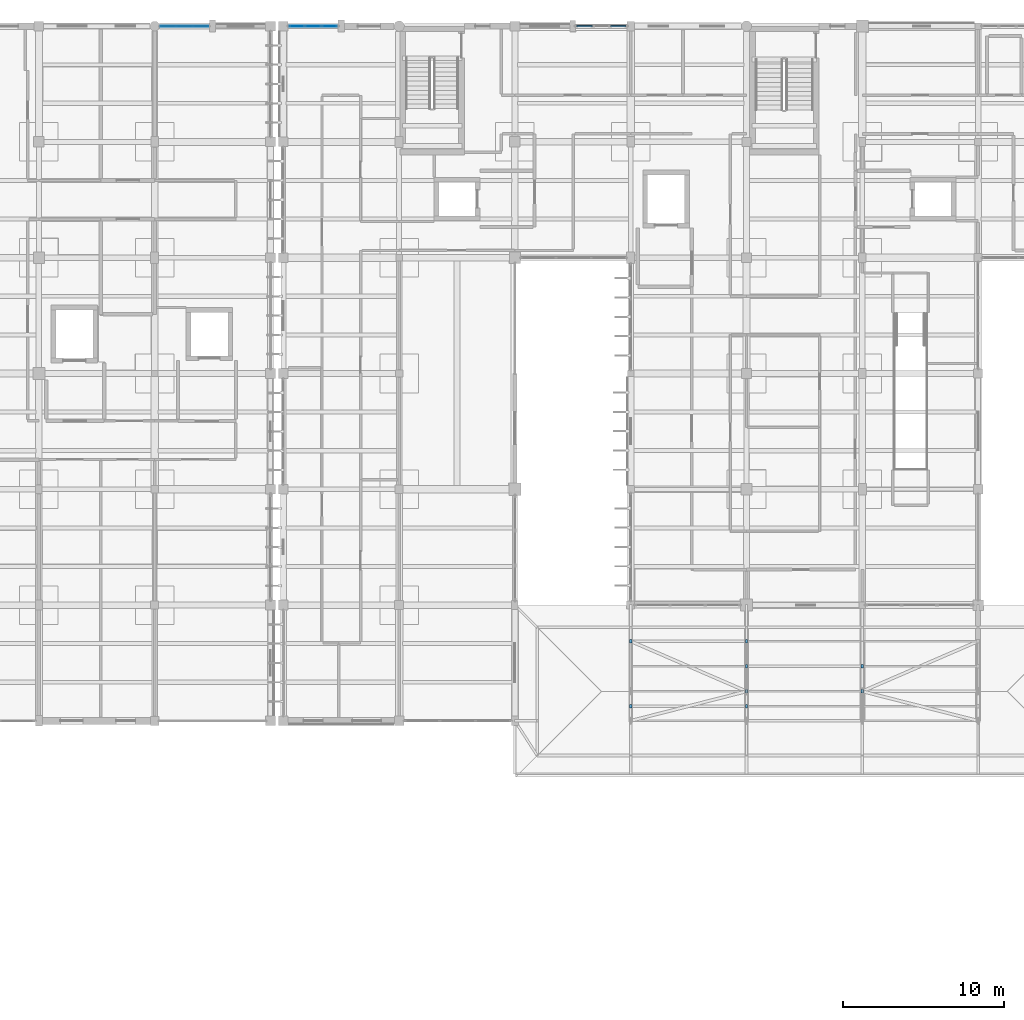
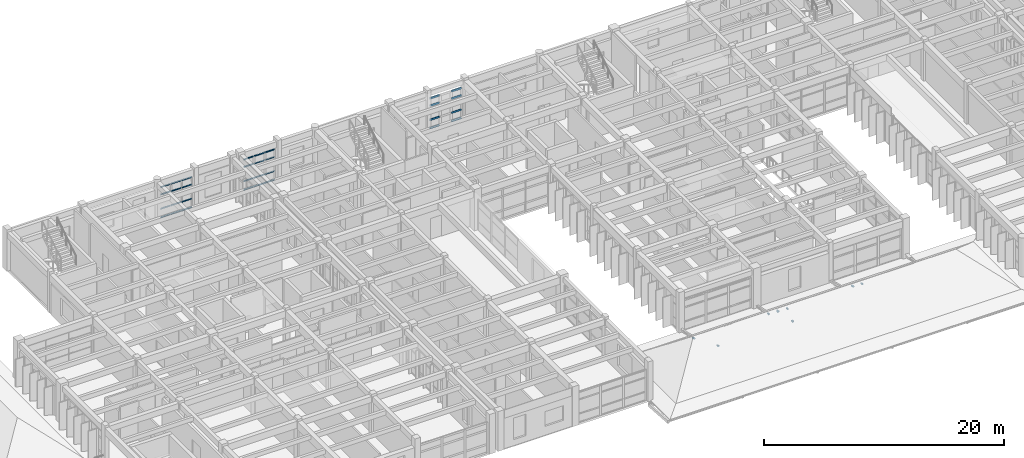
# One storey, part 45 of 100: 40 members, 3 elements without a shape of their own.
"""IFC4 building model written with IfcOpenShell, lengths in metres."""

from ifc_helpers import new_model, si_unit, direction, frame, origin, origin_2d, place, context, subcontext, project, spatial, rectangle, extrude, material, material_profile, profile_set, type_object, element, aggregate, save


model = new_model("IFC4")

# Units and contexts
model_context = context("Model", 3, precision=1e-05, world=origin(), true_north=direction((0.0, 1.0)))
body_context = subcontext(model_context, "Body", "Model", "MODEL_VIEW")
ifc_project = project(units=[si_unit("LENGTHUNIT", "METRE"), si_unit("AREAUNIT", "SQUARE_METRE"), si_unit("VOLUMEUNIT", "CUBIC_METRE"), si_unit("PLANEANGLEUNIT", "RADIAN"), si_unit("MASSUNIT", "GRAM", prefix="KILO")], contexts=[model_context])

# Site, building, storey
site_placement = place(None, origin())
site = spatial("IfcSite", under=ifc_project, at=site_placement, CompositionType="ELEMENT")
building_placement = place(site_placement, origin())
building = spatial("IfcBuilding", under=site, at=building_placement, Name="Steenspoor Specialist Clinic", CompositionType="ELEMENT")
storey_placement = place(building_placement, frame((0.0, 0.0, 9.0)))
storey = spatial("IfcBuildingStorey", under=building, at=storey_placement, Name="L02", CompositionType="ELEMENT", Elevation=9.0)

# Curtain wall, members
ifc_material_1 = material(Name="Thermally broken aluminium and low-emissivity glass", Category="aluminium")
curtain_wall_type_1 = type_object("IfcCurtainWallType", Name="CW-TYP-540X355", PredefinedType="USERDEFINED", material=ifc_material_1)
curtain_wall_1_placement = place(storey_placement, origin())
curtain_wall_1 = element("IfcCurtainWall", 1, at=curtain_wall_1_placement, inside=storey, type_object=curtain_wall_type_1, Name="Unitised Curtain Wall CW-V4-L02-083", ObjectType="UNITISED GLAZING", PredefinedType="USERDEFINED")
ifc_material_2 = material(Name="Thermally broken aluminium 6063-T6", Category="aluminium")
ifc_material_profile_1 = material_profile(ifc_material_2, rectangle(XDim=0.06005859375, YDim=0.114990234375, at=origin_2d()), Name="CWT-60X115")
ifc_profile_set_1 = profile_set([ifc_material_profile_1], Name="Thermally broken aluminium 6063-T6")
member_type_1 = type_object("IfcMemberType", Name="CW-TRAN-60X115", PredefinedType="USERDEFINED", material=ifc_profile_set_1)
member_1_placement = place(storey_placement, frame((52.7900390625, 108.35009765625, 0.030029296875), z_axis=(1.0, 0.0, 0.0), x_axis=(0.0, 1.0, 0.0)))
member_1 = element("IfcMember", 2, at=member_1_placement, type_object=member_type_1, Name="CW-11 transom 1.1", ObjectType="TRANSOM", PredefinedType="USERDEFINED", context=body_context, shape_type="SweptSolid", body=[
    extrude(rectangle(XDim=0.06005859375, YDim=0.114990234375, at=origin_2d()), origin(), (0.0, 0.0, 1.0), 0.901611328125),
])
member_2_placement = place(storey_placement, frame((52.7900390625, 108.35009765625, 0.89990234375), z_axis=(1.0, 0.0, 0.0), x_axis=(0.0, 1.0, 0.0)))
member_2 = element("IfcMember", 3, at=member_2_placement, type_object=member_type_1, Name="CW-11 transom 1.2", ObjectType="TRANSOM", PredefinedType="USERDEFINED", context=body_context, shape_type="SweptSolid", body=[
    extrude(rectangle(XDim=0.06005859375, YDim=0.114990234375, at=origin_2d()), origin(), (0.0, 0.0, 1.0), 0.901611328125),
])
member_3_placement = place(storey_placement, frame((52.7900390625, 108.35009765625, 2.35009765625), z_axis=(1.0, 0.0, 0.0), x_axis=(0.0, 1.0, 0.0)))
member_3 = element("IfcMember", 4, at=member_3_placement, type_object=member_type_1, Name="CW-11 transom 1.3", ObjectType="TRANSOM", PredefinedType="USERDEFINED", context=body_context, shape_type="SweptSolid", body=[
    extrude(rectangle(XDim=0.06005859375, YDim=0.114990234375, at=origin_2d()), origin(), (0.0, 0.0, 1.0), 0.901611328125),
])
member_4_placement = place(storey_placement, frame((52.7900390625, 108.35009765625, 3.10009765625), z_axis=(1.0, 0.0, 0.0), x_axis=(0.0, 1.0, 0.0)))
member_4 = element("IfcMember", 5, at=member_4_placement, type_object=member_type_1, Name="CW-11 transom 1.4", ObjectType="TRANSOM", PredefinedType="USERDEFINED", context=body_context, shape_type="SweptSolid", body=[
    extrude(rectangle(XDim=0.06005859375, YDim=0.114990234375, at=origin_2d()), origin(), (0.0, 0.0, 1.0), 0.901611328125),
])
member_5_placement = place(storey_placement, frame((53.78173828125, 108.35009765625, 0.030029296875), z_axis=(1.0, 0.0, 0.0), x_axis=(0.0, 1.0, 0.0)))
member_5 = element("IfcMember", 6, at=member_5_placement, type_object=member_type_1, Name="CW-11 transom 2.1", ObjectType="TRANSOM", PredefinedType="USERDEFINED", context=body_context, shape_type="SweptSolid", body=[
    extrude(rectangle(XDim=0.06005859375, YDim=0.114990234375, at=origin_2d()), origin(), (0.0, 0.0, 1.0), 0.946533203125),
])
member_6_placement = place(storey_placement, frame((53.78173828125, 108.35009765625, 0.89990234375), z_axis=(1.0, 0.0, 0.0), x_axis=(0.0, 1.0, 0.0)))
member_6 = element("IfcMember", 7, at=member_6_placement, type_object=member_type_1, Name="CW-11 transom 2.2", ObjectType="TRANSOM", PredefinedType="USERDEFINED", context=body_context, shape_type="SweptSolid", body=[
    extrude(rectangle(XDim=0.06005859375, YDim=0.114990234375, at=origin_2d()), origin(), (0.0, 0.0, 1.0), 0.946533203125),
])
member_7_placement = place(storey_placement, frame((53.78173828125, 108.35009765625, 2.35009765625), z_axis=(1.0, 0.0, 0.0), x_axis=(0.0, 1.0, 0.0)))
member_7 = element("IfcMember", 8, at=member_7_placement, type_object=member_type_1, Name="CW-11 transom 2.3", ObjectType="TRANSOM", PredefinedType="USERDEFINED", context=body_context, shape_type="SweptSolid", body=[
    extrude(rectangle(XDim=0.06005859375, YDim=0.114990234375, at=origin_2d()), origin(), (0.0, 0.0, 1.0), 0.946533203125),
])
member_8_placement = place(storey_placement, frame((53.78173828125, 108.35009765625, 3.10009765625), z_axis=(1.0, 0.0, 0.0), x_axis=(0.0, 1.0, 0.0)))
member_8 = element("IfcMember", 9, at=member_8_placement, type_object=member_type_1, Name="CW-11 transom 2.4", ObjectType="TRANSOM", PredefinedType="USERDEFINED", context=body_context, shape_type="SweptSolid", body=[
    extrude(rectangle(XDim=0.06005859375, YDim=0.114990234375, at=origin_2d()), origin(), (0.0, 0.0, 1.0), 0.946533203125),
])
member_9_placement = place(storey_placement, frame((54.818359375, 108.35009765625, 0.030029296875), z_axis=(1.0, 0.0, 0.0), x_axis=(0.0, 1.0, 0.0)))
member_9 = element("IfcMember", 10, at=member_9_placement, type_object=member_type_1, Name="CW-11 transom 3.1", ObjectType="TRANSOM", PredefinedType="USERDEFINED", context=body_context, shape_type="SweptSolid", body=[
    extrude(rectangle(XDim=0.06005859375, YDim=0.114990234375, at=origin_2d()), origin(), (0.0, 0.0, 1.0), 0.901611328125),
])
member_10_placement = place(storey_placement, frame((54.818359375, 108.35009765625, 0.89990234375), z_axis=(1.0, 0.0, 0.0), x_axis=(0.0, 1.0, 0.0)))
member_10 = element("IfcMember", 11, at=member_10_placement, type_object=member_type_1, Name="CW-11 transom 3.2", ObjectType="TRANSOM", PredefinedType="USERDEFINED", context=body_context, shape_type="SweptSolid", body=[
    extrude(rectangle(XDim=0.06005859375, YDim=0.114990234375, at=origin_2d()), origin(), (0.0, 0.0, 1.0), 0.901611328125),
])
member_11_placement = place(storey_placement, frame((54.818359375, 108.35009765625, 2.35009765625), z_axis=(1.0, 0.0, 0.0), x_axis=(0.0, 1.0, 0.0)))
member_11 = element("IfcMember", 12, at=member_11_placement, type_object=member_type_1, Name="CW-11 transom 3.3", ObjectType="TRANSOM", PredefinedType="USERDEFINED", context=body_context, shape_type="SweptSolid", body=[
    extrude(rectangle(XDim=0.06005859375, YDim=0.114990234375, at=origin_2d()), origin(), (0.0, 0.0, 1.0), 0.901611328125),
])
member_12_placement = place(storey_placement, frame((54.818359375, 108.35009765625, 3.10009765625), z_axis=(1.0, 0.0, 0.0), x_axis=(0.0, 1.0, 0.0)))
member_12 = element("IfcMember", 13, at=member_12_placement, type_object=member_type_1, Name="CW-11 transom 3.4", ObjectType="TRANSOM", PredefinedType="USERDEFINED", context=body_context, shape_type="SweptSolid", body=[
    extrude(rectangle(XDim=0.06005859375, YDim=0.114990234375, at=origin_2d()), origin(), (0.0, 0.0, 1.0), 0.901611328125),
])
aggregate(curtain_wall_1, [member_1, member_2, member_3, member_4, member_5, member_6, member_7, member_8, member_9, member_10, member_11, member_12])

curtain_wall_type_2 = type_object("IfcCurtainWallType", Name="CW-TYP-660X355", PredefinedType="USERDEFINED", material=ifc_material_1)
curtain_wall_2_placement = place(storey_placement, origin())
curtain_wall_2 = element("IfcCurtainWall", 14, at=curtain_wall_2_placement, inside=storey, type_object=curtain_wall_type_2, Name="Unitised Curtain Wall CW-V5-L02-153", ObjectType="UNITISED GLAZING", PredefinedType="USERDEFINED")
member_13_placement = place(storey_placement, frame((44.764892578125, 108.35009765625, 0.030029296875), z_axis=(1.0, 0.0, 0.0), x_axis=(0.0, 1.0, 0.0)))
member_13 = element("IfcMember", 15, at=member_13_placement, type_object=member_type_1, Name="CW-09 transom 1.1", ObjectType="TRANSOM", PredefinedType="USERDEFINED", context=body_context, shape_type="SweptSolid", body=[
    extrude(rectangle(XDim=0.06005859375, YDim=0.114990234375, at=origin_2d()), origin(), (0.0, 0.0, 1.0), 0.939208984375),
])
member_14_placement = place(storey_placement, frame((44.764892578125, 108.35009765625, 0.89990234375), z_axis=(1.0, 0.0, 0.0), x_axis=(0.0, 1.0, 0.0)))
member_14 = element("IfcMember", 16, at=member_14_placement, type_object=member_type_1, Name="CW-09 transom 1.2", ObjectType="TRANSOM", PredefinedType="USERDEFINED", context=body_context, shape_type="SweptSolid", body=[
    extrude(rectangle(XDim=0.06005859375, YDim=0.114990234375, at=origin_2d()), origin(), (0.0, 0.0, 1.0), 0.939208984375),
])
member_15_placement = place(storey_placement, frame((44.764892578125, 108.35009765625, 2.35009765625), z_axis=(1.0, 0.0, 0.0), x_axis=(0.0, 1.0, 0.0)))
member_15 = element("IfcMember", 17, at=member_15_placement, type_object=member_type_1, Name="CW-09 transom 1.3", ObjectType="TRANSOM", PredefinedType="USERDEFINED", context=body_context, shape_type="SweptSolid", body=[
    extrude(rectangle(XDim=0.06005859375, YDim=0.114990234375, at=origin_2d()), origin(), (0.0, 0.0, 1.0), 0.939208984375),
])
member_16_placement = place(storey_placement, frame((44.764892578125, 108.35009765625, 3.10009765625), z_axis=(1.0, 0.0, 0.0), x_axis=(0.0, 1.0, 0.0)))
member_16 = element("IfcMember", 18, at=member_16_placement, type_object=member_type_1, Name="CW-09 transom 1.4", ObjectType="TRANSOM", PredefinedType="USERDEFINED", context=body_context, shape_type="SweptSolid", body=[
    extrude(rectangle(XDim=0.06005859375, YDim=0.114990234375, at=origin_2d()), origin(), (0.0, 0.0, 1.0), 0.939208984375),
])
member_17_placement = place(storey_placement, frame((45.769287109375, 108.35009765625, 0.030029296875), z_axis=(1.0, 0.0, 0.0), x_axis=(0.0, 1.0, 0.0)))
member_17 = element("IfcMember", 19, at=member_17_placement, type_object=member_type_1, Name="CW-09 transom 2.1", ObjectType="TRANSOM", PredefinedType="USERDEFINED", context=body_context, shape_type="SweptSolid", body=[
    extrude(rectangle(XDim=0.06005859375, YDim=0.114990234375, at=origin_2d()), origin(), (0.0, 0.0, 1.0), 0.971435546875),
])
member_18_placement = place(storey_placement, frame((45.769287109375, 108.35009765625, 0.89990234375), z_axis=(1.0, 0.0, 0.0), x_axis=(0.0, 1.0, 0.0)))
member_18 = element("IfcMember", 20, at=member_18_placement, type_object=member_type_1, Name="CW-09 transom 2.2", ObjectType="TRANSOM", PredefinedType="USERDEFINED", context=body_context, shape_type="SweptSolid", body=[
    extrude(rectangle(XDim=0.06005859375, YDim=0.114990234375, at=origin_2d()), origin(), (0.0, 0.0, 1.0), 0.971435546875),
])
member_19_placement = place(storey_placement, frame((45.769287109375, 108.35009765625, 2.35009765625), z_axis=(1.0, 0.0, 0.0), x_axis=(0.0, 1.0, 0.0)))
member_19 = element("IfcMember", 21, at=member_19_placement, type_object=member_type_1, Name="CW-09 transom 2.3", ObjectType="TRANSOM", PredefinedType="USERDEFINED", context=body_context, shape_type="SweptSolid", body=[
    extrude(rectangle(XDim=0.06005859375, YDim=0.114990234375, at=origin_2d()), origin(), (0.0, 0.0, 1.0), 0.971435546875),
])
member_20_placement = place(storey_placement, frame((45.769287109375, 108.35009765625, 3.10009765625), z_axis=(1.0, 0.0, 0.0), x_axis=(0.0, 1.0, 0.0)))
member_20 = element("IfcMember", 22, at=member_20_placement, type_object=member_type_1, Name="CW-09 transom 2.4", ObjectType="TRANSOM", PredefinedType="USERDEFINED", context=body_context, shape_type="SweptSolid", body=[
    extrude(rectangle(XDim=0.06005859375, YDim=0.114990234375, at=origin_2d()), origin(), (0.0, 0.0, 1.0), 0.971435546875),
])
member_21_placement = place(storey_placement, frame((46.805908203125, 108.35009765625, 0.030029296875), z_axis=(1.0, 0.0, 0.0), x_axis=(0.0, 1.0, 0.0)))
member_21 = element("IfcMember", 23, at=member_21_placement, type_object=member_type_1, Name="CW-09 transom 3.1", ObjectType="TRANSOM", PredefinedType="USERDEFINED", context=body_context, shape_type="SweptSolid", body=[
    extrude(rectangle(XDim=0.06005859375, YDim=0.114990234375, at=origin_2d()), origin(), (0.0, 0.0, 1.0), 0.939208984375),
])
member_22_placement = place(storey_placement, frame((46.805908203125, 108.35009765625, 0.89990234375), z_axis=(1.0, 0.0, 0.0), x_axis=(0.0, 1.0, 0.0)))
member_22 = element("IfcMember", 24, at=member_22_placement, type_object=member_type_1, Name="CW-09 transom 3.2", ObjectType="TRANSOM", PredefinedType="USERDEFINED", context=body_context, shape_type="SweptSolid", body=[
    extrude(rectangle(XDim=0.06005859375, YDim=0.114990234375, at=origin_2d()), origin(), (0.0, 0.0, 1.0), 0.939208984375),
])
member_23_placement = place(storey_placement, frame((46.805908203125, 108.35009765625, 2.35009765625), z_axis=(1.0, 0.0, 0.0), x_axis=(0.0, 1.0, 0.0)))
member_23 = element("IfcMember", 25, at=member_23_placement, type_object=member_type_1, Name="CW-09 transom 3.3", ObjectType="TRANSOM", PredefinedType="USERDEFINED", context=body_context, shape_type="SweptSolid", body=[
    extrude(rectangle(XDim=0.06005859375, YDim=0.114990234375, at=origin_2d()), origin(), (0.0, 0.0, 1.0), 0.939208984375),
])
member_24_placement = place(storey_placement, frame((46.805908203125, 108.35009765625, 3.10009765625), z_axis=(1.0, 0.0, 0.0), x_axis=(0.0, 1.0, 0.0)))
member_24 = element("IfcMember", 26, at=member_24_placement, type_object=member_type_1, Name="CW-09 transom 3.4", ObjectType="TRANSOM", PredefinedType="USERDEFINED", context=body_context, shape_type="SweptSolid", body=[
    extrude(rectangle(XDim=0.06005859375, YDim=0.114990234375, at=origin_2d()), origin(), (0.0, 0.0, 1.0), 0.939208984375),
])
aggregate(curtain_wall_2, [member_13, member_14, member_15, member_16, member_17, member_18, member_19, member_20, member_21, member_22, member_23, member_24])

curtain_wall_type_3 = type_object("IfcCurtainWallType", Name="CW-TYP-480X355", PredefinedType="USERDEFINED", material=ifc_material_1)
curtain_wall_3_placement = place(storey_placement, origin())
curtain_wall_3 = element("IfcCurtainWall", 27, at=curtain_wall_3_placement, inside=storey, type_object=curtain_wall_type_3, Name="Unitised Curtain Wall CW-V4-L02-084", ObjectType="UNITISED GLAZING", PredefinedType="USERDEFINED")
ifc_material_profile_2 = material_profile(ifc_material_2, rectangle(XDim=0.090087890625, YDim=0.175048828125, at=origin_2d()), Name="CWT-90X175")
ifc_profile_set_2 = profile_set([ifc_material_profile_2], Name="Thermally broken aluminium 6063-T6")
member_type_2 = type_object("IfcMemberType", Name="CW-TRAN-90X175", PredefinedType="USERDEFINED", material=ifc_profile_set_2)
member_25_placement = place(storey_placement, frame((70.64990234375, 108.35009765625, 0.044921875), z_axis=(1.0, 0.0, 0.0), x_axis=(0.0, 1.0, 0.0)))
member_25 = element("IfcMember", 28, at=member_25_placement, type_object=member_type_2, Name="CW-12 transom 1.1", ObjectType="TRANSOM", PredefinedType="USERDEFINED", context=body_context, shape_type="SweptSolid", body=[
    extrude(rectangle(XDim=0.090087890625, YDim=0.175048828125, at=origin_2d()), origin(), (0.0, 0.0, 1.0), 0.948486328125),
])
member_26_placement = place(storey_placement, frame((70.64990234375, 108.35009765625, 0.89990234375), z_axis=(1.0, 0.0, 0.0), x_axis=(0.0, 1.0, 0.0)))
member_26 = element("IfcMember", 29, at=member_26_placement, type_object=member_type_2, Name="CW-12 transom 1.2", ObjectType="TRANSOM", PredefinedType="USERDEFINED", context=body_context, shape_type="SweptSolid", body=[
    extrude(rectangle(XDim=0.090087890625, YDim=0.175048828125, at=origin_2d()), origin(), (0.0, 0.0, 1.0), 0.948486328125),
])
member_27_placement = place(storey_placement, frame((70.64990234375, 108.35009765625, 2.35009765625), z_axis=(1.0, 0.0, 0.0), x_axis=(0.0, 1.0, 0.0)))
member_27 = element("IfcMember", 30, at=member_27_placement, type_object=member_type_2, Name="CW-12 transom 1.3", ObjectType="TRANSOM", PredefinedType="USERDEFINED", context=body_context, shape_type="SweptSolid", body=[
    extrude(rectangle(XDim=0.090087890625, YDim=0.175048828125, at=origin_2d()), origin(), (0.0, 0.0, 1.0), 0.948486328125),
])
member_28_placement = place(storey_placement, frame((70.64990234375, 108.35009765625, 3.0849609375), z_axis=(1.0, 0.0, 0.0), x_axis=(0.0, 1.0, 0.0)))
member_28 = element("IfcMember", 31, at=member_28_placement, type_object=member_type_2, Name="CW-12 transom 1.4", ObjectType="TRANSOM", PredefinedType="USERDEFINED", context=body_context, shape_type="SweptSolid", body=[
    extrude(rectangle(XDim=0.090087890625, YDim=0.175048828125, at=origin_2d()), origin(), (0.0, 0.0, 1.0), 0.948486328125),
])
member_29_placement = place(storey_placement, frame((72.74658203125, 108.35009765625, 0.044921875), z_axis=(1.0, 0.0, 0.0), x_axis=(0.0, 1.0, 0.0)))
member_29 = element("IfcMember", 32, at=member_29_placement, type_object=member_type_2, Name="CW-12 transom 3.1", ObjectType="TRANSOM", PredefinedType="USERDEFINED", context=body_context, shape_type="SweptSolid", body=[
    extrude(rectangle(XDim=0.090087890625, YDim=0.175048828125, at=origin_2d()), origin(), (0.0, 0.0, 1.0), 0.948486328125),
])
member_30_placement = place(storey_placement, frame((72.74658203125, 108.35009765625, 0.89990234375), z_axis=(1.0, 0.0, 0.0), x_axis=(0.0, 1.0, 0.0)))
member_30 = element("IfcMember", 33, at=member_30_placement, type_object=member_type_2, Name="CW-12 transom 3.2", ObjectType="TRANSOM", PredefinedType="USERDEFINED", context=body_context, shape_type="SweptSolid", body=[
    extrude(rectangle(XDim=0.090087890625, YDim=0.175048828125, at=origin_2d()), origin(), (0.0, 0.0, 1.0), 0.948486328125),
])
member_31_placement = place(storey_placement, frame((72.74658203125, 108.35009765625, 2.35009765625), z_axis=(1.0, 0.0, 0.0), x_axis=(0.0, 1.0, 0.0)))
member_31 = element("IfcMember", 34, at=member_31_placement, type_object=member_type_2, Name="CW-12 transom 3.3", ObjectType="TRANSOM", PredefinedType="USERDEFINED", context=body_context, shape_type="SweptSolid", body=[
    extrude(rectangle(XDim=0.090087890625, YDim=0.175048828125, at=origin_2d()), origin(), (0.0, 0.0, 1.0), 0.948486328125),
])
member_32_placement = place(storey_placement, frame((72.74658203125, 108.35009765625, 3.0849609375), z_axis=(1.0, 0.0, 0.0), x_axis=(0.0, 1.0, 0.0)))
member_32 = element("IfcMember", 35, at=member_32_placement, type_object=member_type_2, Name="CW-12 transom 3.4", ObjectType="TRANSOM", PredefinedType="USERDEFINED", context=body_context, shape_type="SweptSolid", body=[
    extrude(rectangle(XDim=0.090087890625, YDim=0.175048828125, at=origin_2d()), origin(), (0.0, 0.0, 1.0), 0.948486328125),
])
aggregate(curtain_wall_3, [member_25, member_26, member_27, member_28, member_29, member_30, member_31, member_32])

# Members
ifc_material_3 = material(Name="Glulam GL28h", Category="wood")
ifc_material_profile_3 = material_profile(ifc_material_3, rectangle(XDim=0.139892578125, YDim=0.219970703125, at=origin_2d()), Name="GL28H-140X220")
ifc_profile_set_3 = profile_set([ifc_material_profile_3], Name="Glulam GL28h")
member_type_3 = type_object("IfcMemberType", Name="MEM-RAFTER-GL220", PredefinedType="RAFTER", material=ifc_profile_set_3)
member_33_placement = place(storey_placement, frame((74.0, 66.0673828125, 2.35009765625), z_axis=(0.0, 0.0, 1.0), x_axis=(1.0, 0.0, 0.0)))
element("IfcMember", 36, at=member_33_placement, inside=storey, type_object=member_type_3, Name="ROOF TRUSS Purlin Pack 215A", PredefinedType="RAFTER", context=body_context, shape_type="SweptSolid", body=[
    extrude(rectangle(XDim=0.139892578125, YDim=0.219970703125, at=origin_2d()), origin(), (0.0, 0.0, 1.0), 0.08984375),
])
member_34_placement = place(storey_placement, frame((81.199951171875, 66.0673828125, 2.306640625), z_axis=(0.0, 0.0, 1.0), x_axis=(1.0, 0.0, 0.0)))
element("IfcMember", 37, at=member_34_placement, inside=storey, type_object=member_type_3, Name="ROOF TRUSS Purlin Pack 215B", PredefinedType="RAFTER", context=body_context, shape_type="SweptSolid", body=[
    extrude(rectangle(XDim=0.139892578125, YDim=0.219970703125, at=origin_2d()), origin(), (0.0, 0.0, 1.0), 0.11328125),
])
member_35_placement = place(storey_placement, frame((81.199951171875, 66.985107421875, 3.011962890625), z_axis=(0.0, 0.0, 1.0), x_axis=(1.0, 0.0, 0.0)))
element("IfcMember", 38, at=member_35_placement, inside=storey, type_object=member_type_3, Name="ROOF TRUSS Purlin Pack 216B", PredefinedType="RAFTER", context=body_context, shape_type="SweptSolid", body=[
    extrude(rectangle(XDim=0.139892578125, YDim=0.219970703125, at=origin_2d()), origin(), (0.0, 0.0, 1.0), 0.1376953125),
])
member_36_placement = place(storey_placement, frame((81.199951171875, 68.54248046875, 1.814697265625), z_axis=(0.0, 0.0, 1.0), x_axis=(1.0, 0.0, 0.0)))
element("IfcMember", 39, at=member_36_placement, inside=storey, type_object=member_type_3, Name="ROOF TRUSS Purlin Pack 217B", PredefinedType="RAFTER", context=body_context, shape_type="SweptSolid", body=[
    extrude(rectangle(XDim=0.139892578125, YDim=0.219970703125, at=origin_2d()), origin(), (0.0, 0.0, 1.0), 0.1337890625),
])
member_37_placement = place(storey_placement, frame((74.0, 70.10009765625, 0.66064453125), z_axis=(0.0, 0.0, 1.0), x_axis=(1.0, 0.0, 0.0)))
element("IfcMember", 40, at=member_37_placement, inside=storey, type_object=member_type_3, Name="ROOF TRUSS Purlin Pack 218A", PredefinedType="RAFTER", context=body_context, shape_type="SweptSolid", body=[
    extrude(rectangle(XDim=0.139892578125, YDim=0.219970703125, at=origin_2d()), origin(), (0.0, 0.0, 1.0), 0.08984375),
])
member_38_placement = place(storey_placement, frame((81.199951171875, 70.10009765625, 0.6171875), z_axis=(0.0, 0.0, 1.0), x_axis=(1.0, 0.0, 0.0)))
element("IfcMember", 41, at=member_38_placement, inside=storey, type_object=member_type_3, Name="ROOF TRUSS Purlin Pack 218B", PredefinedType="RAFTER", context=body_context, shape_type="SweptSolid", body=[
    extrude(rectangle(XDim=0.139892578125, YDim=0.219970703125, at=origin_2d()), origin(), (0.0, 0.0, 1.0), 0.113525390625),
])
member_39_placement = place(storey_placement, frame((88.39990234375, 68.54248046875, 1.85791015625), z_axis=(0.0, 0.0, 1.0), x_axis=(1.0, 0.0, 0.0)))
element("IfcMember", 42, at=member_39_placement, inside=storey, type_object=member_type_3, Name="ROOF TRUSS Purlin Pack 222B", PredefinedType="RAFTER", context=body_context, shape_type="SweptSolid", body=[
    extrude(rectangle(XDim=0.139892578125, YDim=0.219970703125, at=origin_2d()), origin(), (0.0, 0.0, 1.0), 0.090087890625),
])
member_40_placement = place(storey_placement, frame((88.39990234375, 66.985107421875, 3.055419921875), z_axis=(0.0, 0.0, 1.0), x_axis=(1.0, 0.0, 0.0)))
element("IfcMember", 43, at=member_40_placement, inside=storey, type_object=member_type_3, Name="ROOF TRUSS Purlin Pack 226A", PredefinedType="RAFTER", context=body_context, shape_type="SweptSolid", body=[
    extrude(rectangle(XDim=0.139892578125, YDim=0.219970703125, at=origin_2d()), origin(), (0.0, 0.0, 1.0), 0.08984375),
])

save(model, "model.ifc")
